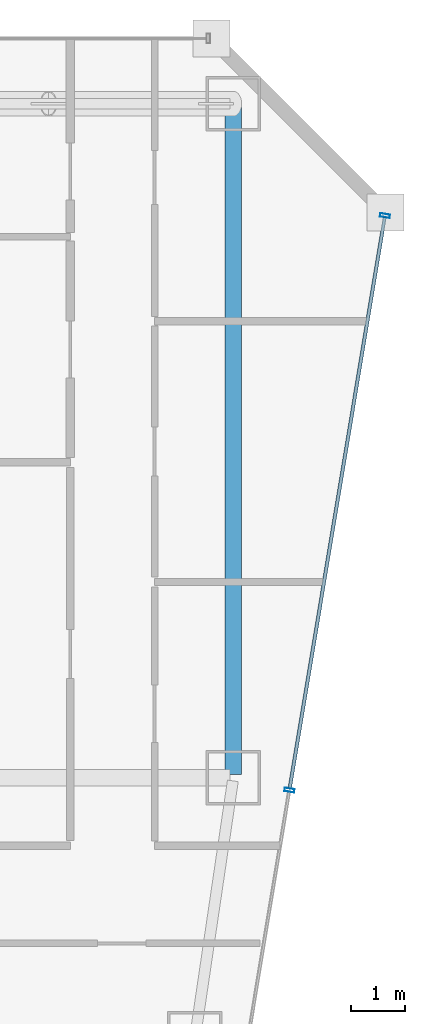
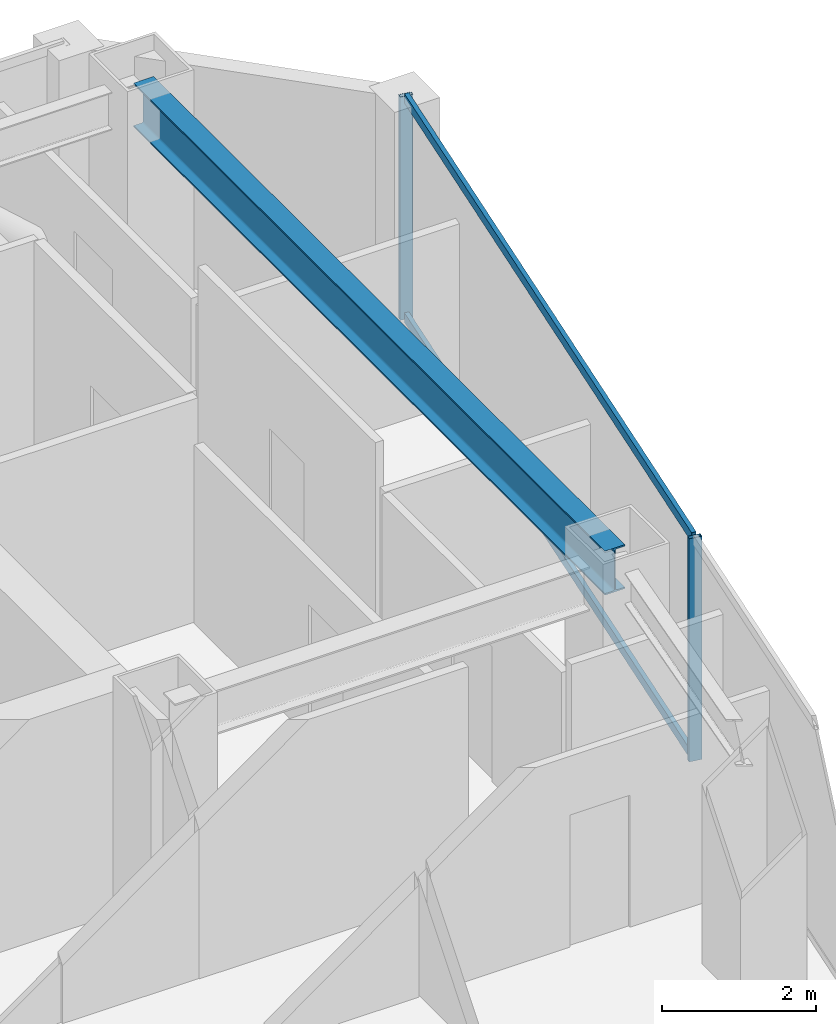
# One storey, part 26 of 36: 4 members, 1 beam, 1 element without a shape of its own.
"""IFC4 building model written with IfcOpenShell, lengths in metres."""

from ifc_helpers import new_model, si_unit, direction, frame, origin, origin_2d, place, context, subcontext, project, spatial, hollow_rectangle, i_section, extrude, material, material_profile, profile_set, type_object, element, aggregate, save


model = new_model("IFC4")

# Units and contexts
model_context = context("Model", 3, precision=1e-05, world=origin(), true_north=direction((0.0, 1.0)))
body_context = subcontext(model_context, "Body", "Model", "MODEL_VIEW")
ifc_project = project(units=[si_unit("LENGTHUNIT", "METRE"), si_unit("AREAUNIT", "SQUARE_METRE"), si_unit("VOLUMEUNIT", "CUBIC_METRE"), si_unit("PLANEANGLEUNIT", "RADIAN"), si_unit("MASSUNIT", "GRAM", prefix="KILO")], contexts=[model_context])

# Site, building, storey
site_placement = place(None, origin())
site = spatial("IfcSite", under=ifc_project, at=site_placement, CompositionType="ELEMENT")
building_placement = place(site_placement, origin())
building = spatial("IfcBuilding", under=site, at=building_placement, Name="Saevonmaru Cultural Tower", CompositionType="ELEMENT")
storey_placement = place(building_placement, frame((0.0, 0.0, 156.199951171875)))
storey = spatial("IfcBuildingStorey", under=building, at=storey_placement, Name="L34", CompositionType="ELEMENT", Elevation=156.199951171875)

# Beam
ifc_material_1 = material(Name="Steel SM355", Category="steel")
ifc_material_profile_1 = material_profile(ifc_material_1, i_section(OverallWidth=0.300048828125, OverallDepth=0.699951171875, WebThickness=0.012939453125, FlangeThickness=0.02392578125, FilletRadius=0.02587890625, at=origin_2d()), Name="H-700x300x13x24")
ifc_profile_set_1 = profile_set([ifc_material_profile_1], Name="Steel SM355")
beam_type = type_object("IfcBeamType", Name="BM-G-H700", PredefinedType="BEAM", material=ifc_profile_set_1)
beam_placement = place(storey_placement, frame((53.199951171875, 54.739990234375, 3.199951171875), z_axis=(0.0, -1.0, 0.0), x_axis=(1.0, 0.0, 0.0)))
element("IfcBeam", 1, at=beam_placement, inside=storey, type_object=beam_type, Name="L34 Spine Transverse Girder E", PredefinedType="BEAM", context=body_context, shape_type="SweptSolid", body=[
    extrude(i_section(OverallWidth=0.300048828125, OverallDepth=0.699951171875, WebThickness=0.012939453125, FlangeThickness=0.02392578125, FilletRadius=0.02587890625, at=origin_2d()), origin(), (0.0, 0.0, 1.0), 12.280029296875),
])

# Curtain wall, members
ifc_material_2 = material(Name="Satin Bronze Anodised Aluminium", Category="aluminium")
curtain_wall_type = type_object("IfcCurtainWallType", Name="CW-TYP-A", PredefinedType="NOTDEFINED", material=ifc_material_2)
curtain_wall_placement = place(storey_placement, origin())
curtain_wall = element("IfcCurtainWall", 2, at=curtain_wall_placement, inside=storey, type_object=curtain_wall_type, Name="L34 Unitised Curtain Wall E8", PredefinedType="NOTDEFINED")
ifc_material_profile_2 = material_profile(ifc_material_2, hollow_rectangle(XDim=0.06494140625, YDim=0.179931640625, WallThickness=0.00390625, at=origin_2d()), Name="ALU-MULL-180x65x4")
ifc_profile_set_2 = profile_set([ifc_material_profile_2], Name="Satin Bronze Anodised Aluminium")
member_type_1 = type_object("IfcMemberType", Name="ML-CW-180x65", PredefinedType="MULLION", material=ifc_profile_set_2)
member_1_placement = place(storey_placement, frame((54.23291015625, 42.17041015625, 0.0), z_axis=(0.0, 0.0, 1.0), x_axis=(0.163998702345, 0.986460554523, 0.0)))
member_1 = element("IfcMember", 3, at=member_1_placement, type_object=member_type_1, Name="CW-TW-L34-E8 mullion 4", PredefinedType="MULLION", context=body_context, shape_type="SweptSolid", body=[
    extrude(hollow_rectangle(XDim=0.06494140625, YDim=0.179931640625, WallThickness=0.00390625, at=origin_2d()), origin(), (0.0, 0.0, 1.0), 3.550048828125),
])
member_2_placement = place(storey_placement, frame((55.990234375, 52.74072265625, 0.0), z_axis=(0.0, 0.0, 1.0), x_axis=(0.163998702345, 0.986460554523, 0.0)))
member_2 = element("IfcMember", 4, at=member_2_placement, type_object=member_type_1, Name="CW-TW-L34-E8 mullion 5", PredefinedType="MULLION", context=body_context, shape_type="SweptSolid", body=[
    extrude(hollow_rectangle(XDim=0.06494140625, YDim=0.179931640625, WallThickness=0.00390625, at=origin_2d()), origin(), (0.0, 0.0, 1.0), 3.550048828125),
])
ifc_material_profile_3 = material_profile(ifc_material_2, hollow_rectangle(XDim=0.06494140625, YDim=0.14990234375, WallThickness=0.00390625, at=origin_2d()), Name="ALU-TRAN-150x65x4")
ifc_profile_set_3 = profile_set([ifc_material_profile_3], Name="Satin Bronze Anodised Aluminium")
member_type_2 = type_object("IfcMemberType", Name="TR-CW-150x65", PredefinedType="USERDEFINED", material=ifc_profile_set_3)
member_3_placement = place(storey_placement, frame((54.23828125, 42.202392578125, 0.032470703125), z_axis=(0.163990079074, 0.9864619881, 0.0), x_axis=(-0.9864619881, 0.163990079074, 0.0)))
member_3 = element("IfcMember", 5, at=member_3_placement, type_object=member_type_2, Name="CW-TW-L34-E8 transom 4.1", ObjectType="TRANSOM", PredefinedType="USERDEFINED", context=body_context, shape_type="SweptSolid", body=[
    extrude(hollow_rectangle(XDim=0.06494140625, YDim=0.14990234375, WallThickness=0.00390625, at=origin_2d()), origin(), (0.0, 0.0, 1.0), 10.650634765625),
])
member_4_placement = place(storey_placement, frame((54.23828125, 42.202392578125, 3.517578125), z_axis=(0.163990079074, 0.9864619881, 0.0), x_axis=(-0.9864619881, 0.163990079074, 0.0)))
member_4 = element("IfcMember", 6, at=member_4_placement, type_object=member_type_2, Name="CW-TW-L34-E8 transom 4.2", ObjectType="TRANSOM", PredefinedType="USERDEFINED", context=body_context, shape_type="SweptSolid", body=[
    extrude(hollow_rectangle(XDim=0.06494140625, YDim=0.14990234375, WallThickness=0.00390625, at=origin_2d()), origin(), (0.0, 0.0, 1.0), 10.650634765625),
])
aggregate(curtain_wall, [member_1, member_2, member_3, member_4])

save(model, "model.ifc")
